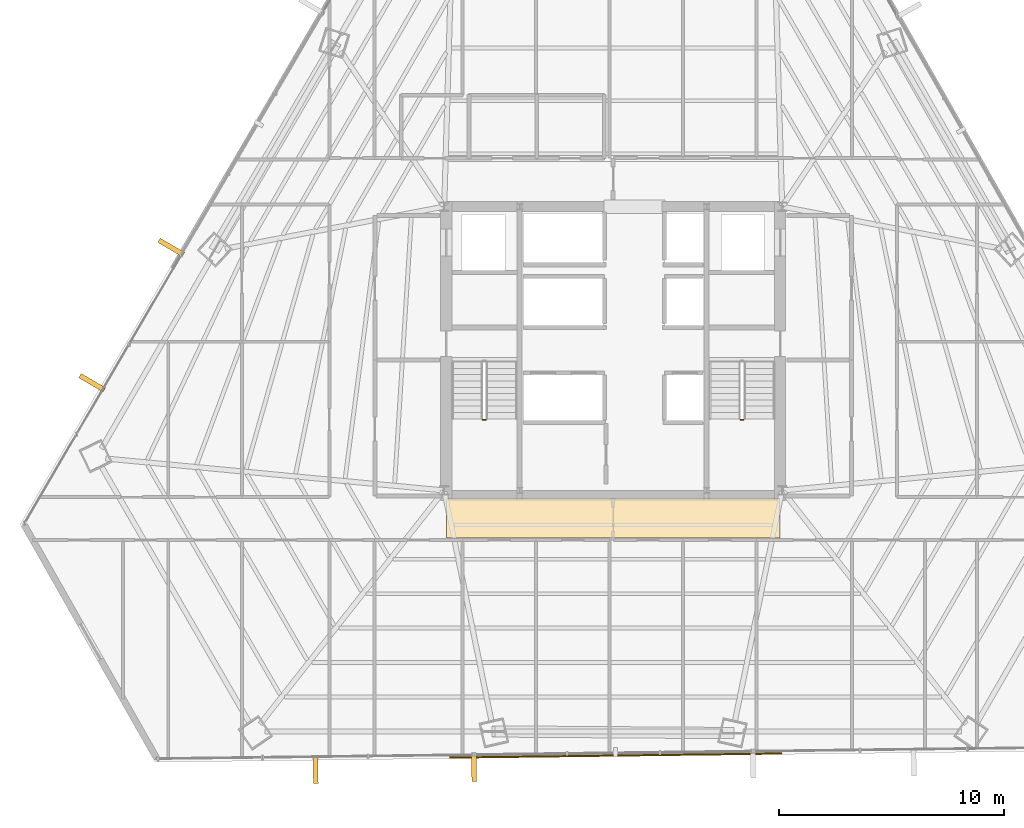
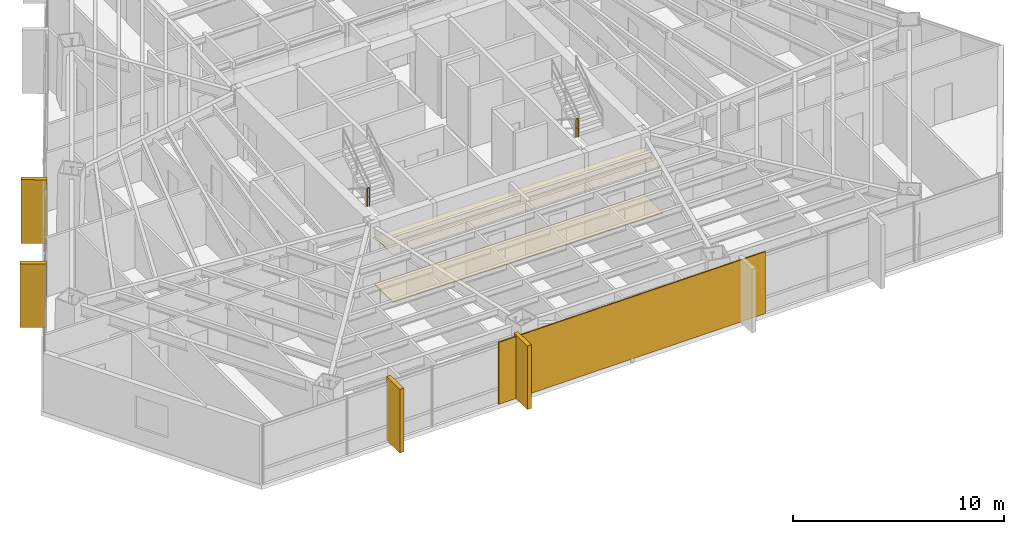
# One storey, part 35 of 37: 6 coverings, 2 railings, 1 shading device.
"""IFC4 building model written with IfcOpenShell, lengths in metres."""

from ifc_helpers import new_model, si_unit, direction, frame, origin, origin_2d, place, context, subcontext, project, spatial, polyline, rectangle, outline, extrude, source, transform, mapped, material, layer, layer_set, type_object, type_shapes, element, save


model = new_model("IFC4")

# Units and contexts
model_context = context("Model", 3, precision=1e-05, world=origin(), true_north=direction((0.0, 1.0)))
body_context = subcontext(model_context, "Body", "Model", "MODEL_VIEW")
ifc_project = project(units=[si_unit("LENGTHUNIT", "METRE"), si_unit("AREAUNIT", "SQUARE_METRE"), si_unit("VOLUMEUNIT", "CUBIC_METRE"), si_unit("PLANEANGLEUNIT", "RADIAN"), si_unit("MASSUNIT", "GRAM", prefix="KILO")], contexts=[model_context])

# Site, building, storey
site_placement = place(None, origin())
site = spatial("IfcSite", under=ifc_project, at=site_placement, CompositionType="ELEMENT")
building_placement = place(site_placement, origin())
building = spatial("IfcBuilding", under=site, at=building_placement, Name="Caelisora Broadcast Tower", CompositionType="ELEMENT")
storey_placement = place(building_placement, frame((0.0, 0.0, 120.0)))
storey = spatial("IfcBuildingStorey", under=building, at=storey_placement, Name="L31", CompositionType="ELEMENT", Elevation=120.0)

# Coverings
ifc_material_1 = material(Name="Perforated Mineral-Fibre Acoustic Ceiling Tile", Category="gypsum")
ifc_layer_1 = layer(ifc_material_1, 0.034912109375, Name="Perforated Mineral-Fibre Acoustic Ceiling Tile")
ifc_layer_set_1 = layer_set([ifc_layer_1], Name="Perforated Mineral-Fibre Acoustic Ceiling Tile")
covering_type_1 = type_object("IfcCoveringType", Name="CE-1", PredefinedType="CEILING", material=ifc_layer_set_1)
covering_1_placement = place(storey_placement, frame((0.0, 0.0, 2.75)))
element("IfcCovering", 1, at=covering_1_placement, inside=storey, type_object=covering_type_1, Name="L31 acoustic corridor ceiling CE-1 (S)", PredefinedType="CEILING", context=body_context, shape_type="SweptSolid", body=[
    extrude(outline(polyline([(30.60009765625, 15.300048828125), (45.39990234375, 15.300048828125), (45.39990234375, 17.050048828125), (30.60009765625, 17.050048828125), (30.60009765625, 15.300048828125)])), origin(), (0.0, 0.0, 1.0), 0.034912109375),
])
ifc_material_2 = material(Name="Anti-Static Broadcast Raised Access Floor Panel", Category="steel")
ifc_layer_2 = layer(ifc_material_2, 0.044921875, Name="Anti-Static Broadcast Raised Access Floor Panel")
ifc_layer_set_2 = layer_set([ifc_layer_2], Name="Anti-Static Broadcast Raised Access Floor Panel")
covering_type_2 = type_object("IfcCoveringType", Name="FL-1", PredefinedType="FLOORING", material=ifc_layer_set_2)
covering_2_placement = place(storey_placement, origin())
element("IfcCovering", 2, at=covering_2_placement, inside=storey, type_object=covering_type_2, Name="L31 broadcast raised access floor FL-1 (S)", PredefinedType="FLOORING", context=body_context, shape_type="SweptSolid", body=[
    extrude(outline(polyline([(30.60009765625, 15.300048828125), (45.39990234375, 15.300048828125), (45.39990234375, 17.050048828125), (30.60009765625, 17.050048828125), (30.60009765625, 15.300048828125)])), origin(), (0.0, 0.0, 1.0), 0.044921875),
])

# Railings
ifc_material_3 = material(Name="Galvanised Steel Safety Guardrail", Category="steel")
ifc_layer_3 = layer(ifc_material_3, 0.048095703125, Name="Galvanised Steel Safety Guardrail")
ifc_layer_set_3 = layer_set([ifc_layer_3], Name="Galvanised Steel Safety Guardrail")
railing_type = type_object("IfcRailingType", Name="GR-1", PredefinedType="GUARDRAIL", material=ifc_layer_set_3)
for number, where, name in (
    (3, (32.219970703125, 20.530029296875, 1.824951171875), "L31 ST-1 stair guard 2"),
    (4, (43.659912109375, 20.530029296875, 1.824951171875), "L31 ST-2 stair guard 2"),
):
    element("IfcRailing", number, at=place(storey_placement, frame(where)), inside=storey, type_object=railing_type, Name=name, PredefinedType="GUARDRAIL", context=body_context, shape_type="SweptSolid", body=[
        extrude(rectangle(XDim=0.048095703125, YDim=0.048095703125, at=origin_2d()), frame((0.0, 0.0, 1.076171875), z_axis=(1.0, 0.0, 0.0), x_axis=(0.0, 1.0, 0.0)), (0.0, 0.0, 1.0), 0.1201171875),
        extrude(rectangle(XDim=0.03125, YDim=0.03125, at=origin_2d()), frame((0.0, 0.0, 0.550048828125), z_axis=(1.0, 0.0, 0.0), x_axis=(0.0, 1.0, 0.0)), (0.0, 0.0, 1.0), 0.1201171875),
        extrude(rectangle(XDim=0.0419921875, YDim=0.0419921875, at=origin_2d()), origin(), (0.0, 0.0, 1.0), 1.052001953125),
        extrude(rectangle(XDim=0.0419921875, YDim=0.0419921875, at=origin_2d()), frame((0.1201171875, 0.0, 0.0)), (0.0, 0.0, 1.0), 1.052001953125),
    ])

# Coverings
ifc_material_4 = material(Name="Kiln-Fired Terracotta Spandrel Rainscreen Cladding", Category="ceramic")
ifc_layer_4 = layer(ifc_material_4, 0.044921875, Name="Kiln-Fired Terracotta Spandrel Rainscreen Cladding")
ifc_layer_set_4 = layer_set([ifc_layer_4], Name="Kiln-Fired Terracotta Spandrel Rainscreen Cladding")
covering_type_3 = type_object("IfcCoveringType", Name="CL-1", PredefinedType="CLADDING", material=ifc_layer_set_4)
shared_shape_1 = source(origin(), body_context, "Body", "SweptSolid", [
    extrude(rectangle(XDim=0.219970703125, YDim=1.25, at=origin_2d()), origin(), (0.0, 0.0, 1.0), 3.68994140625),
])
type_shapes(covering_type_3, [shared_shape_1])
for number, where, z_axis, x_axis, name in (
    (5, (31.82666015625, 5.103271484375, -0.02001953125), (0.0, 0.0, 1.0), (-0.999923222162, -0.012391520548, 0.0), "L31 vertical solar fin cladding #2-3"),
    (6, (24.791259765625, 5.015625, -0.02001953125), (0.0, 0.0, 1.0), (-0.999923222162, -0.012391520548, 0.0), "L31 vertical solar fin cladding #2-4"),
    (7, (14.8681640625, 22.18212890625, -0.02001953125), (0.0, 0.0, 1.0), (0.504527623815, 0.863395550607, 0.0), "L31 vertical solar fin cladding #3-1"),
    (8, (18.3779296875, 28.18896484375, -0.02001953125), (0.0, 0.0, 1.0), (0.504527623815, 0.863395550607, 0.0), "L31 vertical solar fin cladding #3-2"),
):
    element("IfcCovering", number, at=place(storey_placement, frame(where, z_axis=z_axis, x_axis=x_axis)), inside=storey, type_object=covering_type_3, Name=name, PredefinedType="CLADDING", context=body_context, shape_type="MappedRepresentation", body=[
        mapped(shared_shape_1, transform((0.0, 0.0, 0.0), scale=1.0)),
    ])

# Shading device
ifc_material_5 = material(Name="Perforated Glazed Terracotta Baguette Solar Screen", Category="ceramic")
ifc_layer_5 = layer(ifc_material_5, 0.06494140625, Name="Perforated Glazed Terracotta Baguette Solar Screen")
ifc_layer_set_5 = layer_set([ifc_layer_5], Name="Perforated Glazed Terracotta Baguette Solar Screen")
shading_device_type = type_object("IfcShadingDeviceType", Name="SS-1", PredefinedType="USERDEFINED", material=ifc_layer_set_5)
shared_shape_2 = source(origin(), body_context, "Body", "SweptSolid", [
    extrude(rectangle(XDim=14.72412109375, YDim=0.06494140625, at=origin_2d()), origin(), (0.0, 0.0, 1.0), 3.590087890625),
])
type_shapes(shading_device_type, [shared_shape_2])
shading_device_placement = place(storey_placement, frame((38.110595703125, 5.631591796875, 0.0), z_axis=(0.0, 0.0, 1.0), x_axis=(0.999923222162, 0.012391520548, 0.0)))
element("IfcShadingDevice", 9, at=shading_device_placement, inside=storey, type_object=shading_device_type, Name="L31 perforated terracotta solar screen #2", ObjectType="SOLAR SCREEN", PredefinedType="USERDEFINED", context=body_context, shape_type="MappedRepresentation", body=[
    mapped(shared_shape_2, transform((0.0, 0.0, 0.0), scale=1.0)),
])

save(model, "model.ifc")
